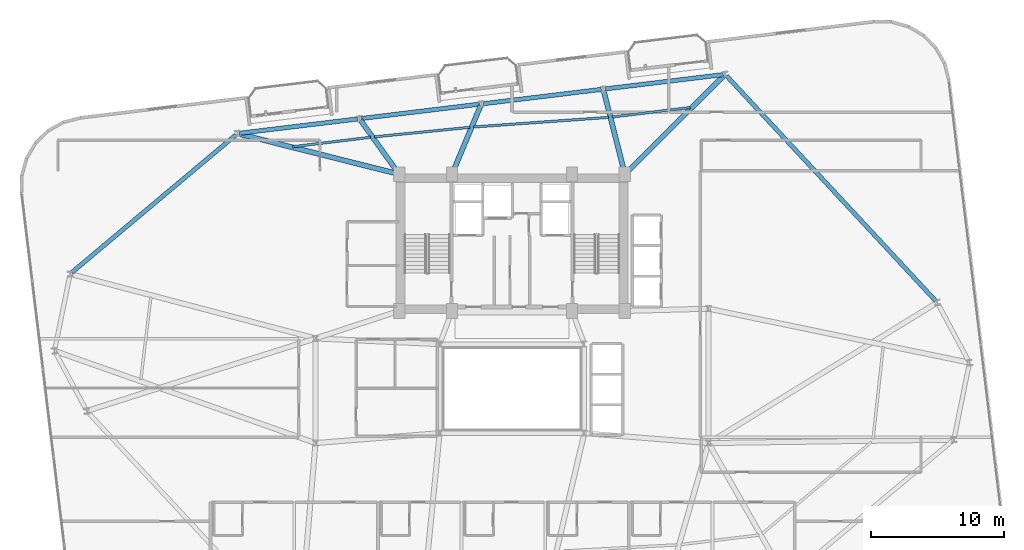
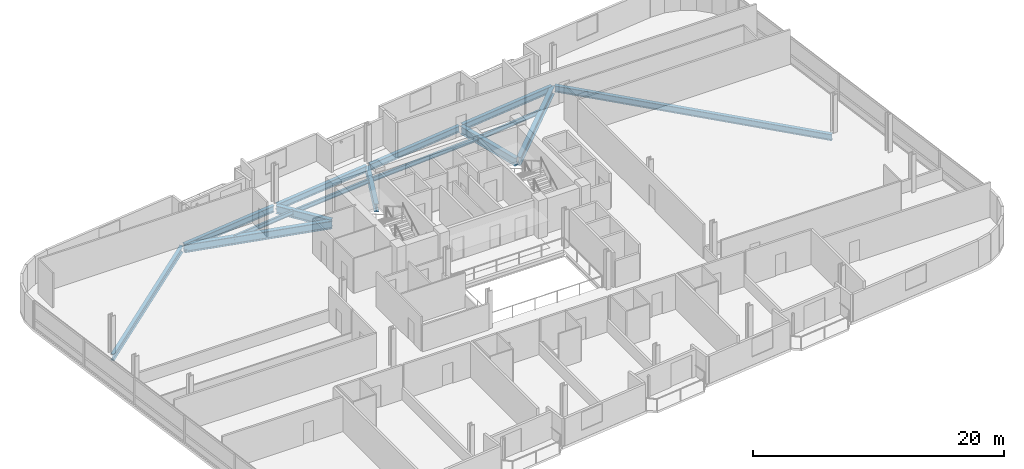
# One storey, part 9 of 22: 15 beams.
"""IFC4 building model written with IfcOpenShell, lengths in metres."""

from ifc_helpers import new_model, si_unit, direction, frame, origin, origin_2d, place, context, subcontext, project, spatial, i_section, extrude, material, material_profile, profile_set, type_object, element, save


model = new_model("IFC4")

# Units and contexts
model_context = context("Model", 3, precision=1e-05, world=origin(), true_north=direction((0.0, 1.0)))
body_context = subcontext(model_context, "Body", "Model", "MODEL_VIEW")
ifc_project = project(units=[si_unit("LENGTHUNIT", "METRE"), si_unit("AREAUNIT", "SQUARE_METRE"), si_unit("VOLUMEUNIT", "CUBIC_METRE"), si_unit("PLANEANGLEUNIT", "RADIAN"), si_unit("MASSUNIT", "GRAM", prefix="KILO")], contexts=[model_context])

# Site, building, storey
site_placement = place(None, origin())
site = spatial("IfcSite", under=ifc_project, at=site_placement, CompositionType="ELEMENT")
building_placement = place(site_placement, origin())
building = spatial("IfcBuilding", under=site, at=building_placement, Name="Varnelok Gate Tower", CompositionType="ELEMENT")
storey_placement = place(building_placement, frame((0.0, 0.0, 204.199951171875)))
storey = spatial("IfcBuildingStorey", under=building, at=storey_placement, Name="L52", CompositionType="ELEMENT", Elevation=204.199951171875)

# Beams
ifc_material = material(Name="Structural Steel ASTM A992 Grade 50", Category="steel")
ifc_material_profile_1 = material_profile(ifc_material, i_section(OverallWidth=0.180908203125, OverallDepth=0.4169921875, WebThickness=0.010986328125, FlangeThickness=0.018310546875, FilletRadius=0.013916015625, at=origin_2d()), Name="W16X57")
ifc_profile_set_1 = profile_set([ifc_material_profile_1], Name="Structural Steel ASTM A992 Grade 50")
beam_type_1 = type_object("IfcBeamType", Name="BM-JST-W16X57", PredefinedType="JOIST", material=ifc_profile_set_1)
beam_1_placement = place(storey_placement, frame((52.62451171875, 44.069580078125, -0.45849609375), z_axis=(-0.992731840387, -0.120347385022, 0.0), x_axis=(0.120347385022, -0.992731840387, 0.0)))
element("IfcBeam", 1, at=beam_1_placement, inside=storey, type_object=beam_type_1, Name="L52 Sector Floor Joist 7", PredefinedType="JOIST", context=body_context, shape_type="SweptSolid", body=[
    extrude(i_section(OverallWidth=0.180908203125, OverallDepth=0.4169921875, WebThickness=0.010986328125, FlangeThickness=0.018310546875, FilletRadius=0.013916015625, at=origin_2d()), origin(), (0.0, 0.0, 1.0), 5.91748046875),
])
beam_2_placement = place(storey_placement, frame((46.47119140625, 43.33056640625, -0.45849609375), z_axis=(-0.997462709477, -0.071190892697, 0.0), x_axis=(0.071190892697, -0.997462709477, 0.0)))
element("IfcBeam", 2, at=beam_2_placement, inside=storey, type_object=beam_type_1, Name="L52 Sector Floor Joist 8", PredefinedType="JOIST", context=body_context, shape_type="SweptSolid", body=[
    extrude(i_section(OverallWidth=0.180908203125, OverallDepth=0.4169921875, WebThickness=0.010986328125, FlangeThickness=0.018310546875, FilletRadius=0.013916015625, at=origin_2d()), origin(), (0.0, 0.0, 1.0), 10.195556640625),
])
beam_3_placement = place(storey_placement, frame((36.022705078125, 42.580810546875, -0.45849609375), z_axis=(-0.995047224499, -0.099403324975, 0.0), x_axis=(0.099403324975, -0.995047224499, 0.0)))
element("IfcBeam", 3, at=beam_3_placement, inside=storey, type_object=beam_type_1, Name="L52 Sector Floor Joist 9", PredefinedType="JOIST", context=body_context, shape_type="SweptSolid", body=[
    extrude(i_section(OverallWidth=0.180908203125, OverallDepth=0.4169921875, WebThickness=0.010986328125, FlangeThickness=0.018310546875, FilletRadius=0.013916015625, at=origin_2d()), origin(), (0.0, 0.0, 1.0), 7.223388671875),
])
beam_4_placement = place(storey_placement, frame((28.556884765625, 41.83203125, -0.45849609375), z_axis=(-0.992731242801, -0.120352314337, 0.0), x_axis=(0.120352314337, -0.992731242801, 0.0)))
element("IfcBeam", 4, at=beam_4_placement, inside=storey, type_object=beam_type_1, Name="L52 Sector Floor Joist 10", PredefinedType="JOIST", context=body_context, shape_type="SweptSolid", body=[
    extrude(i_section(OverallWidth=0.180908203125, OverallDepth=0.4169921875, WebThickness=0.010986328125, FlangeThickness=0.018310546875, FilletRadius=0.013916015625, at=origin_2d()), origin(), (0.0, 0.0, 1.0), 5.917236328125),
])
ifc_material_profile_2 = material_profile(ifc_material, i_section(OverallWidth=0.381103515625, OverallDepth=0.77294921875, WebThickness=0.0166015625, FlangeThickness=0.027099609375, FilletRadius=0.02197265625, at=origin_2d()), Name="W30X173")
ifc_profile_set_2 = profile_set([ifc_material_profile_2], Name="Structural Steel ASTM A992 Grade 50")
beam_type_2 = type_object("IfcBeamType", Name="BM-PRI-W30X173", PredefinedType="BEAM", material=ifc_profile_set_2)
beam_5_placement = place(storey_placement, frame((47.806396484375, 39.15576171875, -0.636474609375), z_axis=(0.708989690383, 0.705218844707, 0.0), x_axis=(-0.705218844707, 0.708989690383, 0.0)))
element("IfcBeam", 5, at=beam_5_placement, inside=storey, type_object=beam_type_2, Name="L52 Radial Floor Girder 9", PredefinedType="BEAM", context=body_context, shape_type="SweptSolid", body=[
    extrude(i_section(OverallWidth=0.381103515625, OverallDepth=0.77294921875, WebThickness=0.0166015625, FlangeThickness=0.027099609375, FilletRadius=0.02197265625, at=origin_2d()), origin(), (0.0, 0.0, 1.0), 10.359130859375),
])
beam_6_placement = place(storey_placement, frame((47.6630859375, 39.1953125, -0.636474609375), z_axis=(-0.246004343354, 0.969268725922, 0.0), x_axis=(-0.969268725922, -0.246004343354, 0.0)))
element("IfcBeam", 6, at=beam_6_placement, inside=storey, type_object=beam_type_2, Name="L52 Radial Floor Girder 10", PredefinedType="BEAM", context=body_context, shape_type="SweptSolid", body=[
    extrude(i_section(OverallWidth=0.381103515625, OverallDepth=0.77294921875, WebThickness=0.0166015625, FlangeThickness=0.027099609375, FilletRadius=0.02197265625, at=origin_2d()), origin(), (0.0, 0.0, 1.0), 6.306884765625),
])
beam_7_placement = place(storey_placement, frame((34.73779296875, 39.1884765625, -0.636474609375), z_axis=(0.38573799398, 0.922608367619, 0.0), x_axis=(-0.922608367619, 0.38573799398, 0.0)))
element("IfcBeam", 7, at=beam_7_placement, inside=storey, type_object=beam_type_2, Name="L52 Radial Floor Girder 11", PredefinedType="BEAM", context=body_context, shape_type="SweptSolid", body=[
    extrude(i_section(OverallWidth=0.381103515625, OverallDepth=0.77294921875, WebThickness=0.0166015625, FlangeThickness=0.027099609375, FilletRadius=0.02197265625, at=origin_2d()), origin(), (0.0, 0.0, 1.0), 5.434326171875),
])
beam_8_placement = place(storey_placement, frame((30.61279296875, 39.172119140625, -0.636474609375), z_axis=(-0.582178250272, 0.81306118153, 0.0), x_axis=(-0.81306118153, -0.582178250272, 0.0)))
element("IfcBeam", 8, at=beam_8_placement, inside=storey, type_object=beam_type_2, Name="L52 Radial Floor Girder 12", PredefinedType="BEAM", context=body_context, shape_type="SweptSolid", body=[
    extrude(i_section(OverallWidth=0.381103515625, OverallDepth=0.77294921875, WebThickness=0.0166015625, FlangeThickness=0.027099609375, FilletRadius=0.02197265625, at=origin_2d()), origin(), (0.0, 0.0, 1.0), 4.837646484375),
])
beam_9_placement = place(storey_placement, frame((30.554443359375, 39.086669921875, -0.636474609375), z_axis=(-0.969752143123, 0.244091746906, 0.0), x_axis=(-0.244091746906, -0.969752143123, 0.0)))
element("IfcBeam", 9, at=beam_9_placement, inside=storey, type_object=beam_type_2, Name="L52 Radial Floor Girder 13", PredefinedType="BEAM", context=body_context, shape_type="SweptSolid", body=[
    extrude(i_section(OverallWidth=0.381103515625, OverallDepth=0.77294921875, WebThickness=0.0166015625, FlangeThickness=0.027099609375, FilletRadius=0.02197265625, at=origin_2d()), origin(), (0.0, 0.0, 1.0), 12.25341796875),
])
ifc_material_profile_3 = material_profile(ifc_material, i_section(OverallWidth=0.323974609375, OverallDepth=0.611083984375, WebThickness=0.0126953125, FlangeThickness=0.01904296875, FilletRadius=0.01806640625, at=origin_2d()), Name="W24X104")
ifc_profile_set_3 = profile_set([ifc_material_profile_3], Name="Structural Steel ASTM A992 Grade 50")
beam_type_3 = type_object("IfcBeamType", Name="BM-SPN-W24X104", PredefinedType="SPANDREL", material=ifc_profile_set_3)
beam_10_placement = place(storey_placement, frame((71.123291015625, 29.49365234375, -0.555419921875), z_axis=(-0.680734113922, 0.732530590585, 0.0), x_axis=(-0.732530590585, -0.680734113922, 0.0)))
element("IfcBeam", 10, at=beam_10_placement, inside=storey, type_object=beam_type_3, Name="L52 Perimeter Spandrel Beam 8", PredefinedType="SPANDREL", context=body_context, shape_type="SweptSolid", body=[
    extrude(i_section(OverallWidth=0.323974609375, OverallDepth=0.611083984375, WebThickness=0.0126953125, FlangeThickness=0.01904296875, FilletRadius=0.01806640625, at=origin_2d()), origin(), (0.0, 0.0, 1.0), 23.1572265625),
])
for number, where, z_axis, x_axis, name in (
    (11, (55.1083984375, 46.548828125, -0.555419921875), (-0.992734670707, -0.120324035735, 0.0), (0.120324035735, -0.992734670707, 0.0), "L52 Perimeter Spandrel Beam 9"),
    (12, (45.92578125, 45.435791015625, -0.555419921875), (-0.99273141198, -0.120350918849, 0.0), (0.120350918849, -0.99273141198, 0.0), "L52 Perimeter Spandrel Beam 10"),
    (13, (36.742919921875, 44.322509765625, -0.555419921875), (-0.992734670707, -0.120324035735, 0.0), (0.120324035735, -0.992734670707, 0.0), "L52 Perimeter Spandrel Beam 11"),
    (14, (27.56005859375, 43.209228515625, -0.555419921875), (-0.992734670707, -0.120324035735, 0.0), (0.120324035735, -0.992734670707, 0.0), "L52 Perimeter Spandrel Beam 12"),
):
    element("IfcBeam", number, at=place(storey_placement, frame(where, z_axis=z_axis, x_axis=x_axis)), inside=storey, type_object=beam_type_3, Name=name, PredefinedType="SPANDREL", context=body_context, shape_type="SweptSolid", body=[
        extrude(i_section(OverallWidth=0.323974609375, OverallDepth=0.611083984375, WebThickness=0.0126953125, FlangeThickness=0.01904296875, FilletRadius=0.01806640625, at=origin_2d()), origin(), (0.0, 0.0, 1.0), 8.949951171875),
    ])
beam_11_placement = place(storey_placement, frame((18.411376953125, 42.017822265625, -0.555419921875), z_axis=(-0.766099582792, -0.642721891059, 0.0), x_axis=(0.642721891059, -0.766099582792, 0.0)))
element("IfcBeam", 15, at=beam_11_placement, inside=storey, type_object=beam_type_3, Name="L52 Perimeter Spandrel Beam 13", PredefinedType="SPANDREL", context=body_context, shape_type="SweptSolid", body=[
    extrude(i_section(OverallWidth=0.323974609375, OverallDepth=0.611083984375, WebThickness=0.0126953125, FlangeThickness=0.01904296875, FilletRadius=0.01806640625, at=origin_2d()), origin(), (0.0, 0.0, 1.0), 16.151123046875),
])

save(model, "model.ifc")
